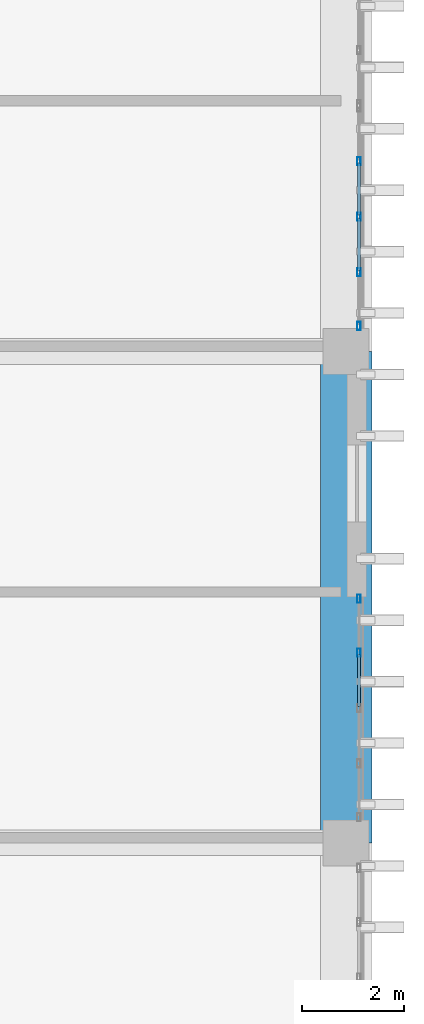
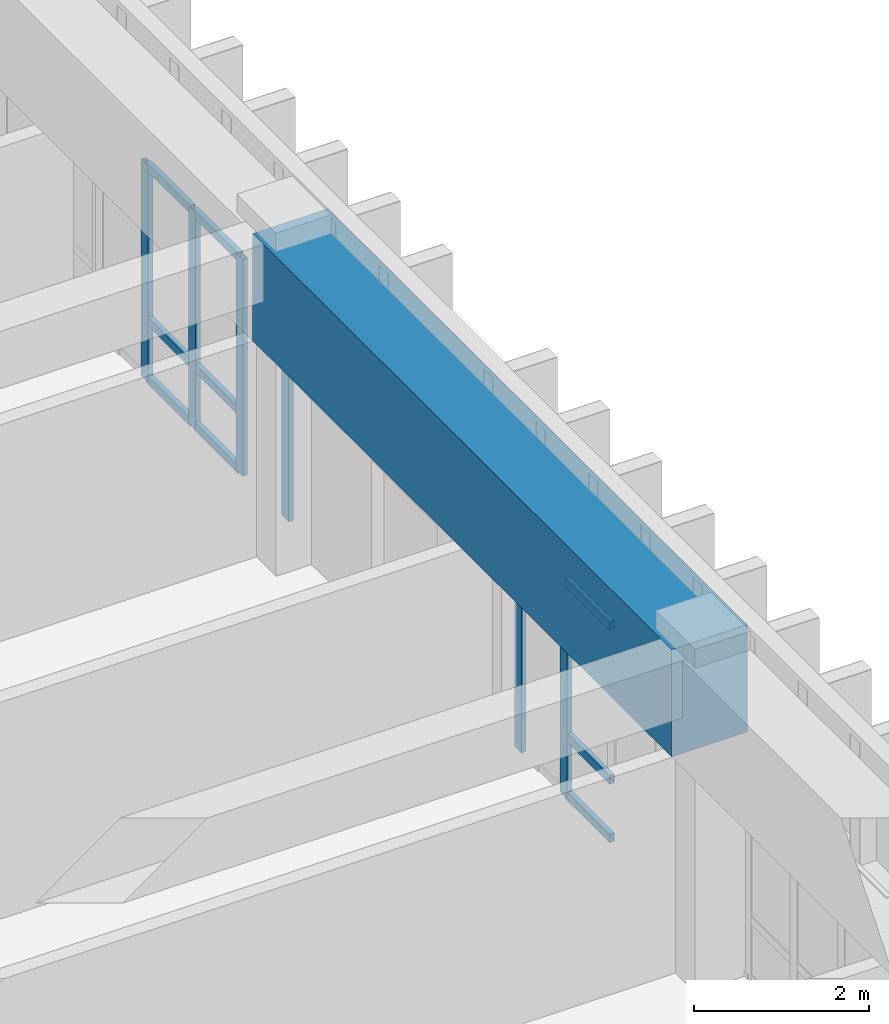
# One storey, part 48 of 101: 15 members, 1 beam, 2 elements without a shape of their own.
"""IFC4 building model written with IfcOpenShell, lengths in metres."""

from ifc_helpers import new_model, si_unit, direction, frame, origin, origin_2d, place, context, subcontext, project, spatial, rectangle, hollow_rectangle, extrude, material, layer, layer_set, material_profile, profile_set, type_object, element, aggregate, save


model = new_model("IFC4")

# Units and contexts
model_context = context("Model", 3, precision=1e-05, world=origin(), true_north=direction((0.0, 1.0)))
body_context = subcontext(model_context, "Body", "Model", "MODEL_VIEW")
ifc_project = project(units=[si_unit("LENGTHUNIT", "METRE"), si_unit("AREAUNIT", "SQUARE_METRE"), si_unit("VOLUMEUNIT", "CUBIC_METRE"), si_unit("PLANEANGLEUNIT", "RADIAN"), si_unit("MASSUNIT", "GRAM", prefix="KILO")], contexts=[model_context])

# Site, building, storey
site_placement = place(None, origin())
site = spatial("IfcSite", under=ifc_project, at=site_placement, CompositionType="ELEMENT")
building_placement = place(site_placement, origin())
building = spatial("IfcBuilding", under=site, at=building_placement, Name="Nakhvara Creek Congress Hotel", CompositionType="ELEMENT")
storey_placement = place(building_placement, frame((0.0, 0.0, 16.199951171875)))
storey = spatial("IfcBuildingStorey", under=building, at=storey_placement, Name="L03", CompositionType="ELEMENT", Elevation=16.199951171875)

# Beam
ifc_material_1 = material(Name="Concrete C50/60", Category="concrete")
ifc_material_profile_1 = material_profile(ifc_material_1, rectangle(XDim=1.0, YDim=1.5, at=origin_2d()), Name="RC-TG 1000x1500", Category="LoadBearing")
ifc_profile_set_1 = profile_set([ifc_material_profile_1], Name="Concrete C50/60")
beam_type = type_object("IfcBeamType", Name="BM-TG2-1500", PredefinedType="BEAM", material=ifc_profile_set_1)
beam_placement = place(storey_placement, frame((179.35009765625, 76.800048828125, 3.7900390625), z_axis=(0.0, 1.0, 0.0), x_axis=(-1.0, 0.0, 0.0)))
element("IfcBeam", 1, at=beam_placement, inside=storey, type_object=beam_type, Name="Transfer Girder TG2-L03-1904", PredefinedType="BEAM", context=body_context, shape_type="SweptSolid", body=[
    extrude(rectangle(XDim=1.0, YDim=1.5, at=origin_2d()), origin(), (0.0, 0.0, 1.0), 9.599853515625),
])

# Curtain wall, members
ifc_material_2 = material(Name="Bronze-anodised aluminium AW-6063-T6 and double-silver low-E glass", Category="aluminium")
ifc_layer = layer(ifc_material_2, 0.199951171875)
ifc_layer_set = layer_set([ifc_layer], Name="Bronze-anodised aluminium AW-6063-T6 and double-silver low-E glass")
curtain_wall_type = type_object("IfcCurtainWallType", Name="CW-HTL-UNIT", PredefinedType="USERDEFINED", material=ifc_layer_set)
curtain_wall_1_placement = place(storey_placement, origin())
curtain_wall_1 = element("IfcCurtainWall", 2, at=curtain_wall_1_placement, inside=storey, type_object=curtain_wall_type, Name="Curtain Wall CW161", ObjectType="UNITISED", PredefinedType="USERDEFINED")
ifc_material_3 = material(Name="Bronze-anodised aluminium AW-6063-T6", Category="aluminium")
ifc_material_profile_2 = material_profile(ifc_material_3, hollow_rectangle(XDim=0.06494140625, YDim=0.159912109375, WallThickness=0.00390625, at=origin_2d()), Name="ALU-MULL 65x160x4", Category="LoadBearing")
ifc_profile_set_2 = profile_set([ifc_material_profile_2], Name="Bronze-anodised aluminium AW-6063-T6")
member_type_1 = type_object("IfcMemberType", Name="CW-MULL-160", PredefinedType="MULLION", material=ifc_profile_set_2)
member_1_placement = place(storey_placement, frame((179.60009765625, 81.5673828125, 0.0), z_axis=(0.0, 0.0, 1.0), x_axis=(1.0, 0.0, 0.0)))
member_1 = element("IfcMember", 3, at=member_1_placement, type_object=member_type_1, Name="CW161 mullion 1", PredefinedType="MULLION", context=body_context, shape_type="SweptSolid", body=[
    extrude(hollow_rectangle(XDim=0.06494140625, YDim=0.159912109375, WallThickness=0.00390625, at=origin_2d()), origin(), (0.0, 0.0, 1.0), 3.031982421875),
])
member_2_placement = place(storey_placement, frame((179.60009765625, 80.516357421875, 0.0), z_axis=(0.0, 0.0, 1.0), x_axis=(1.0, 0.0, 0.0)))
member_2 = element("IfcMember", 4, at=member_2_placement, type_object=member_type_1, Name="CW161 mullion 2", PredefinedType="MULLION", context=body_context, shape_type="SweptSolid", body=[
    extrude(hollow_rectangle(XDim=0.06494140625, YDim=0.159912109375, WallThickness=0.00390625, at=origin_2d()), origin(), (0.0, 0.0, 1.0), 3.031982421875),
])

curtain_wall_2_placement = place(storey_placement, origin())
curtain_wall_2 = element("IfcCurtainWall", 5, at=curtain_wall_2_placement, inside=storey, type_object=curtain_wall_type, Name="Curtain Wall CW162", ObjectType="UNITISED", PredefinedType="USERDEFINED")
member_3_placement = place(storey_placement, frame((179.60009765625, 90.1162109375, 0.0), z_axis=(0.0, 0.0, 1.0), x_axis=(1.0, 0.0, 0.0)))
member_3 = element("IfcMember", 6, at=member_3_placement, type_object=member_type_1, Name="CW162 mullion 2", PredefinedType="MULLION", context=body_context, shape_type="SweptSolid", body=[
    extrude(hollow_rectangle(XDim=0.06494140625, YDim=0.159912109375, WallThickness=0.00390625, at=origin_2d()), origin(), (0.0, 0.0, 1.0), 3.031982421875),
])
member_4_placement = place(storey_placement, frame((179.60009765625, 89.032470703125, 0.0), z_axis=(0.0, 0.0, 1.0), x_axis=(1.0, 0.0, 0.0)))
member_4 = element("IfcMember", 7, at=member_4_placement, type_object=member_type_1, Name="CW162 mullion 3", PredefinedType="MULLION", context=body_context, shape_type="SweptSolid", body=[
    extrude(hollow_rectangle(XDim=0.06494140625, YDim=0.159912109375, WallThickness=0.00390625, at=origin_2d()), origin(), (0.0, 0.0, 1.0), 3.031982421875),
])
member_5_placement = place(storey_placement, frame((179.60009765625, 87.94873046875, 0.0), z_axis=(0.0, 0.0, 1.0), x_axis=(1.0, 0.0, 0.0)))
member_5 = element("IfcMember", 8, at=member_5_placement, type_object=member_type_1, Name="CW162 mullion 4", PredefinedType="MULLION", context=body_context, shape_type="SweptSolid", body=[
    extrude(hollow_rectangle(XDim=0.06494140625, YDim=0.159912109375, WallThickness=0.00390625, at=origin_2d()), origin(), (0.0, 0.0, 1.0), 3.031982421875),
])
member_6_placement = place(storey_placement, frame((179.60009765625, 86.8974609375, 0.0), z_axis=(0.0, 0.0, 1.0), x_axis=(1.0, 0.0, 0.0)))
member_6 = element("IfcMember", 9, at=member_6_placement, type_object=member_type_1, Name="CW162 mullion 5", PredefinedType="MULLION", context=body_context, shape_type="SweptSolid", body=[
    extrude(hollow_rectangle(XDim=0.06494140625, YDim=0.159912109375, WallThickness=0.00390625, at=origin_2d()), origin(), (0.0, 0.0, 1.0), 3.031982421875),
])

# Member
ifc_material_profile_3 = material_profile(ifc_material_3, hollow_rectangle(XDim=0.06494140625, YDim=0.1201171875, WallThickness=0.00390625, at=origin_2d()), Name="ALU-TRAN 65x120x4", Category="LoadBearing")
ifc_profile_set_3 = profile_set([ifc_material_profile_3], Name="Bronze-anodised aluminium AW-6063-T6")
member_type_2 = type_object("IfcMemberType", Name="CW-TRAN-120", PredefinedType="USERDEFINED", material=ifc_profile_set_3)
member_7_placement = place(storey_placement, frame((179.60009765625, 80.483642578125, 0.032470703125), z_axis=(0.0, -1.0, 0.0), x_axis=(1.0, 0.0, 0.0)))
member_7 = element("IfcMember", 10, at=member_7_placement, type_object=member_type_2, Name="CW161 transom 2.1", ObjectType="TRANSOM", PredefinedType="USERDEFINED", context=body_context, shape_type="SweptSolid", body=[
    extrude(hollow_rectangle(XDim=0.06494140625, YDim=0.1201171875, WallThickness=0.00390625, at=origin_2d()), origin(), (0.0, 0.0, 1.0), 1.0185546875),
])

member_8_placement = place(storey_placement, frame((179.60009765625, 80.483642578125, 0.85009765625), z_axis=(0.0, -1.0, 0.0), x_axis=(1.0, 0.0, 0.0)))
member_8 = element("IfcMember", 11, at=member_8_placement, type_object=member_type_2, Name="CW161 transom 2.2", ObjectType="TRANSOM", PredefinedType="USERDEFINED", context=body_context, shape_type="SweptSolid", body=[
    extrude(hollow_rectangle(XDim=0.06494140625, YDim=0.1201171875, WallThickness=0.00390625, at=origin_2d()), origin(), (0.0, 0.0, 1.0), 1.0185546875),
])

member_9_placement = place(storey_placement, frame((179.60009765625, 80.483642578125, 2.99951171875), z_axis=(0.0, -1.0, 0.0), x_axis=(1.0, 0.0, 0.0)))
member_9 = element("IfcMember", 12, at=member_9_placement, type_object=member_type_2, Name="CW161 transom 2.3", ObjectType="TRANSOM", PredefinedType="USERDEFINED", context=body_context, shape_type="SweptSolid", body=[
    extrude(hollow_rectangle(XDim=0.06494140625, YDim=0.1201171875, WallThickness=0.00390625, at=origin_2d()), origin(), (0.0, 0.0, 1.0), 1.0185546875),
])

aggregate(curtain_wall_1, [member_1, member_2, member_7, member_8, member_9])

member_10_placement = place(storey_placement, frame((179.60009765625, 90.083740234375, 0.032470703125), z_axis=(0.0, -1.0, 0.0), x_axis=(1.0, 0.0, 0.0)))
member_10 = element("IfcMember", 13, at=member_10_placement, type_object=member_type_2, Name="CW162 transom 2.1", ObjectType="TRANSOM", PredefinedType="USERDEFINED", context=body_context, shape_type="SweptSolid", body=[
    extrude(hollow_rectangle(XDim=0.06494140625, YDim=0.1201171875, WallThickness=0.00390625, at=origin_2d()), origin(), (0.0, 0.0, 1.0), 1.018798828125),
])

member_11_placement = place(storey_placement, frame((179.60009765625, 90.083740234375, 0.85009765625), z_axis=(0.0, -1.0, 0.0), x_axis=(1.0, 0.0, 0.0)))
member_11 = element("IfcMember", 14, at=member_11_placement, type_object=member_type_2, Name="CW162 transom 2.2", ObjectType="TRANSOM", PredefinedType="USERDEFINED", context=body_context, shape_type="SweptSolid", body=[
    extrude(hollow_rectangle(XDim=0.06494140625, YDim=0.1201171875, WallThickness=0.00390625, at=origin_2d()), origin(), (0.0, 0.0, 1.0), 1.018798828125),
])

member_12_placement = place(storey_placement, frame((179.60009765625, 90.083740234375, 2.99951171875), z_axis=(0.0, -1.0, 0.0), x_axis=(1.0, 0.0, 0.0)))
member_12 = element("IfcMember", 15, at=member_12_placement, type_object=member_type_2, Name="CW162 transom 2.3", ObjectType="TRANSOM", PredefinedType="USERDEFINED", context=body_context, shape_type="SweptSolid", body=[
    extrude(hollow_rectangle(XDim=0.06494140625, YDim=0.1201171875, WallThickness=0.00390625, at=origin_2d()), origin(), (0.0, 0.0, 1.0), 1.018798828125),
])

member_13_placement = place(storey_placement, frame((179.60009765625, 89.0, 0.032470703125), z_axis=(0.0, -1.0, 0.0), x_axis=(1.0, 0.0, 0.0)))
member_13 = element("IfcMember", 16, at=member_13_placement, type_object=member_type_2, Name="CW162 transom 3.1", ObjectType="TRANSOM", PredefinedType="USERDEFINED", context=body_context, shape_type="SweptSolid", body=[
    extrude(hollow_rectangle(XDim=0.06494140625, YDim=0.1201171875, WallThickness=0.00390625, at=origin_2d()), origin(), (0.0, 0.0, 1.0), 1.018798828125),
])

member_14_placement = place(storey_placement, frame((179.60009765625, 89.0, 0.85009765625), z_axis=(0.0, -1.0, 0.0), x_axis=(1.0, 0.0, 0.0)))
member_14 = element("IfcMember", 17, at=member_14_placement, type_object=member_type_2, Name="CW162 transom 3.2", ObjectType="TRANSOM", PredefinedType="USERDEFINED", context=body_context, shape_type="SweptSolid", body=[
    extrude(hollow_rectangle(XDim=0.06494140625, YDim=0.1201171875, WallThickness=0.00390625, at=origin_2d()), origin(), (0.0, 0.0, 1.0), 1.018798828125),
])

member_15_placement = place(storey_placement, frame((179.60009765625, 89.0, 2.99951171875), z_axis=(0.0, -1.0, 0.0), x_axis=(1.0, 0.0, 0.0)))
member_15 = element("IfcMember", 18, at=member_15_placement, type_object=member_type_2, Name="CW162 transom 3.3", ObjectType="TRANSOM", PredefinedType="USERDEFINED", context=body_context, shape_type="SweptSolid", body=[
    extrude(hollow_rectangle(XDim=0.06494140625, YDim=0.1201171875, WallThickness=0.00390625, at=origin_2d()), origin(), (0.0, 0.0, 1.0), 1.018798828125),
])

aggregate(curtain_wall_2, [member_3, member_4, member_5, member_6, member_10, member_11, member_12, member_13, member_14, member_15])

save(model, "model.ifc")
